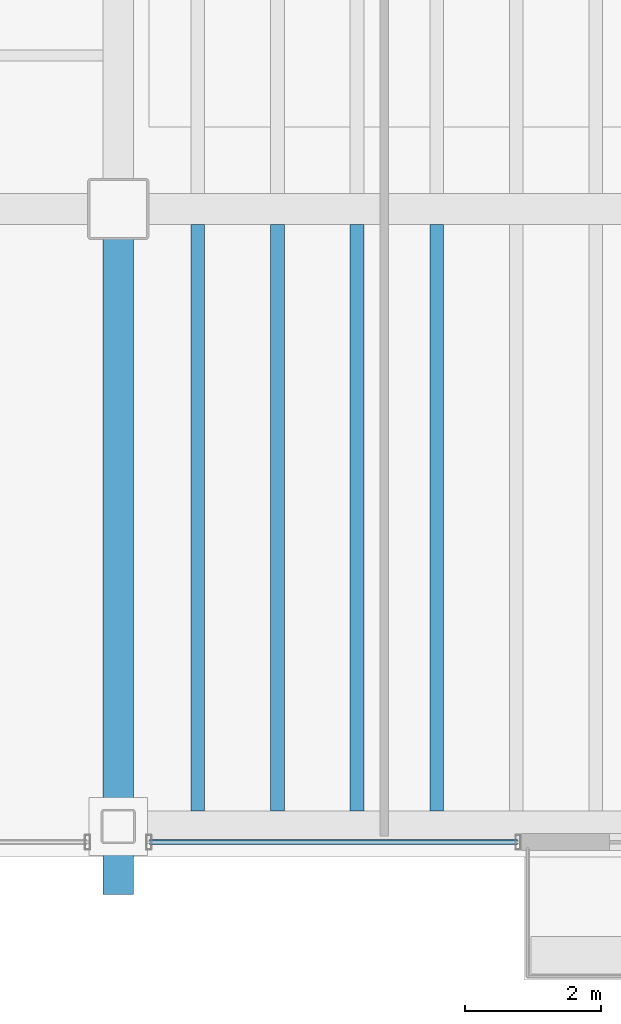
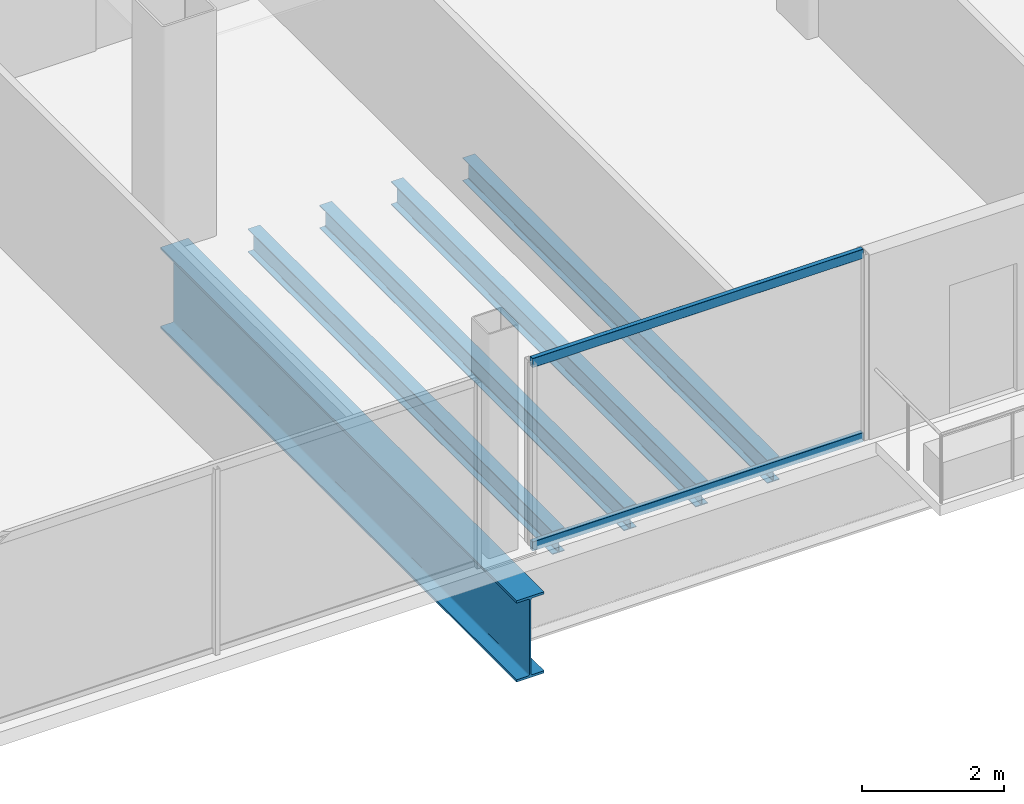
# One storey, part 3 of 24: 5 beams, 2 members, 1 element without a shape of its own.
"""IFC4 building model written with IfcOpenShell, lengths in metres."""

from ifc_helpers import new_model, si_unit, direction, frame, origin, origin_2d, place, context, subcontext, project, spatial, hollow_rectangle, i_section, extrude, material, material_profile, profile_set, type_object, element, aggregate, save


model = new_model("IFC4")

# Units and contexts
model_context = context("Model", 3, precision=1e-05, world=origin(), true_north=direction((0.0, 1.0)))
body_context = subcontext(model_context, "Body", "Model", "MODEL_VIEW")
ifc_project = project(units=[si_unit("LENGTHUNIT", "METRE"), si_unit("AREAUNIT", "SQUARE_METRE"), si_unit("VOLUMEUNIT", "CUBIC_METRE"), si_unit("PLANEANGLEUNIT", "RADIAN"), si_unit("MASSUNIT", "GRAM", prefix="KILO")], contexts=[model_context])

# Site, building, storey
site_placement = place(None, origin())
site = spatial("IfcSite", under=ifc_project, at=site_placement, CompositionType="ELEMENT")
building_placement = place(site_placement, origin())
building = spatial("IfcBuilding", under=site, at=building_placement, Name="Noeulbin Bourse Tower", CompositionType="ELEMENT")
storey_placement = place(building_placement, frame((0.0, 0.0, 114.89990234375)))
storey = spatial("IfcBuildingStorey", under=building, at=storey_placement, Name="L28", CompositionType="ELEMENT", Elevation=114.89990234375)

# Beams
ifc_material_1 = material(Name="Steel S355", Category="steel")
ifc_material_profile_1 = material_profile(ifc_material_1, i_section(OverallWidth=0.199951171875, OverallDepth=0.39990234375, WebThickness=0.008056640625, FlangeThickness=0.012939453125, FilletRadius=0.01611328125, at=origin_2d()), Name="H-400x200x8x13", Category="LoadBearing")
ifc_profile_set_1 = profile_set([ifc_material_profile_1], Name="Steel S355")
beam_type_1 = type_object("IfcBeamType", Name="BM-SEC-400", PredefinedType="BEAM", material=ifc_profile_set_1)
for number, where, z_axis, x_axis, name in (
    (1, (14.666748046875, 11.175048828125, -0.43994140625), (0.0, 1.0, 0.0), (-1.0, 0.0, 0.0), "Tower Composite Joist L28-01"),
    (2, (15.833251953125, 11.175048828125, -0.43994140625), (0.0, 1.0, 0.0), (-1.0, 0.0, 0.0), "Tower Composite Joist L28-03"),
    (3, (17.0, 11.175048828125, -0.43994140625), (0.0, 1.0, 0.0), (-1.0, 0.0, 0.0), "Tower Composite Joist L28-05"),
    (4, (18.166748046875, 11.175048828125, -0.43994140625), (0.0, 1.0, 0.0), (-1.0, 0.0, 0.0), "Tower Composite Joist L28-07"),
):
    element("IfcBeam", number, at=place(storey_placement, frame(where, z_axis=z_axis, x_axis=x_axis)), inside=storey, type_object=beam_type_1, Name=name, PredefinedType="BEAM", context=body_context, shape_type="SweptSolid", body=[
        extrude(i_section(OverallWidth=0.199951171875, OverallDepth=0.39990234375, WebThickness=0.008056640625, FlangeThickness=0.012939453125, FilletRadius=0.01611328125, at=origin_2d()), origin(), (0.0, 0.0, 1.0), 8.599853515625),
    ])
ifc_material_2 = material(Name="Steel S460", Category="steel")
ifc_material_profile_2 = material_profile(ifc_material_2, i_section(OverallWidth=0.449951171875, OverallDepth=1.39990234375, WebThickness=0.02392578125, FlangeThickness=0.0400390625, FilletRadius=0.02392578125, at=origin_2d()), Name="PG-1400x450x24x40", Category="LoadBearing")
ifc_profile_set_2 = profile_set([ifc_material_profile_2], Name="Steel S460")
beam_type_2 = type_object("IfcBeamType", Name="BM-TRF-1400", PredefinedType="USERDEFINED", material=ifc_profile_set_2)
beam_placement = place(storey_placement, frame((13.5, 9.949951171875, -0.93994140625), z_axis=(0.0, 1.0, 0.0), x_axis=(-1.0, 0.0, 0.0)))
element("IfcBeam", 5, at=beam_placement, inside=storey, type_object=beam_type_2, Name="Tower Primary Girder NS L28-1.1", ObjectType="GIRDER", PredefinedType="USERDEFINED", context=body_context, shape_type="SweptSolid", body=[
    extrude(i_section(OverallWidth=0.449951171875, OverallDepth=1.39990234375, WebThickness=0.02392578125, FlangeThickness=0.0400390625, FilletRadius=0.02392578125, at=origin_2d()), origin(), (0.0, 0.0, 1.0), 10.050048828125),
])

# Curtain wall, members
ifc_material_3 = material(Name="Dark Tinted Triple Glazing", Category="glass")
curtain_wall_type = type_object("IfcCurtainWallType", Name="CW-SYS-3", PredefinedType="NOTDEFINED", material=ifc_material_3)
curtain_wall_placement = place(storey_placement, origin())
curtain_wall = element("IfcCurtainWall", 6, at=curtain_wall_placement, inside=storey, type_object=curtain_wall_type, Name="Unitised Curtain Wall CW-L28-S1-S2", PredefinedType="NOTDEFINED")
ifc_material_4 = material(Name="Anodised Aluminium 6063-T6", Category="aluminium")
ifc_material_profile_3 = material_profile(ifc_material_4, hollow_rectangle(XDim=0.074951171875, YDim=0.159912109375, WallThickness=0.0048828125, InnerFilletRadius=0.00244140625, OuterFilletRadius=0.0048828125, at=origin_2d()), Name="ALU-TRAN-75x160x5", Category="LoadBearing")
ifc_profile_set_3 = profile_set([ifc_material_profile_3], Name="Anodised Aluminium 6063-T6")
member_type = type_object("IfcMemberType", Name="CW-SYS-3-TRN", PredefinedType="USERDEFINED", material=ifc_profile_set_3)
member_1_placement = place(storey_placement, frame((13.9599609375, 10.719970703125, 0.010009765625), z_axis=(1.0, 0.0, 0.0), x_axis=(0.0, 1.0, 0.0)))
member_1 = element("IfcMember", 7, at=member_1_placement, type_object=member_type, Name="Curtain Wall Transom CW-L28-S1-S2-T00", ObjectType="TRANSOM", PredefinedType="USERDEFINED", context=body_context, shape_type="SweptSolid", body=[
    extrude(hollow_rectangle(XDim=0.074951171875, YDim=0.159912109375, WallThickness=0.0048828125, InnerFilletRadius=0.00244140625, OuterFilletRadius=0.0048828125, at=origin_2d()), origin(), (0.0, 0.0, 1.0), 5.39013671875),
])
member_2_placement = place(storey_placement, frame((13.9599609375, 10.719970703125, 3.170166015625), z_axis=(1.0, 0.0, 0.0), x_axis=(0.0, 1.0, 0.0)))
member_2 = element("IfcMember", 8, at=member_2_placement, type_object=member_type, Name="Curtain Wall Transom CW-L28-S1-S2-T01", ObjectType="TRANSOM", PredefinedType="USERDEFINED", context=body_context, shape_type="SweptSolid", body=[
    extrude(hollow_rectangle(XDim=0.074951171875, YDim=0.159912109375, WallThickness=0.0048828125, InnerFilletRadius=0.00244140625, OuterFilletRadius=0.0048828125, at=origin_2d()), origin(), (0.0, 0.0, 1.0), 5.39013671875),
])
aggregate(curtain_wall, [member_1, member_2])

save(model, "model.ifc")
